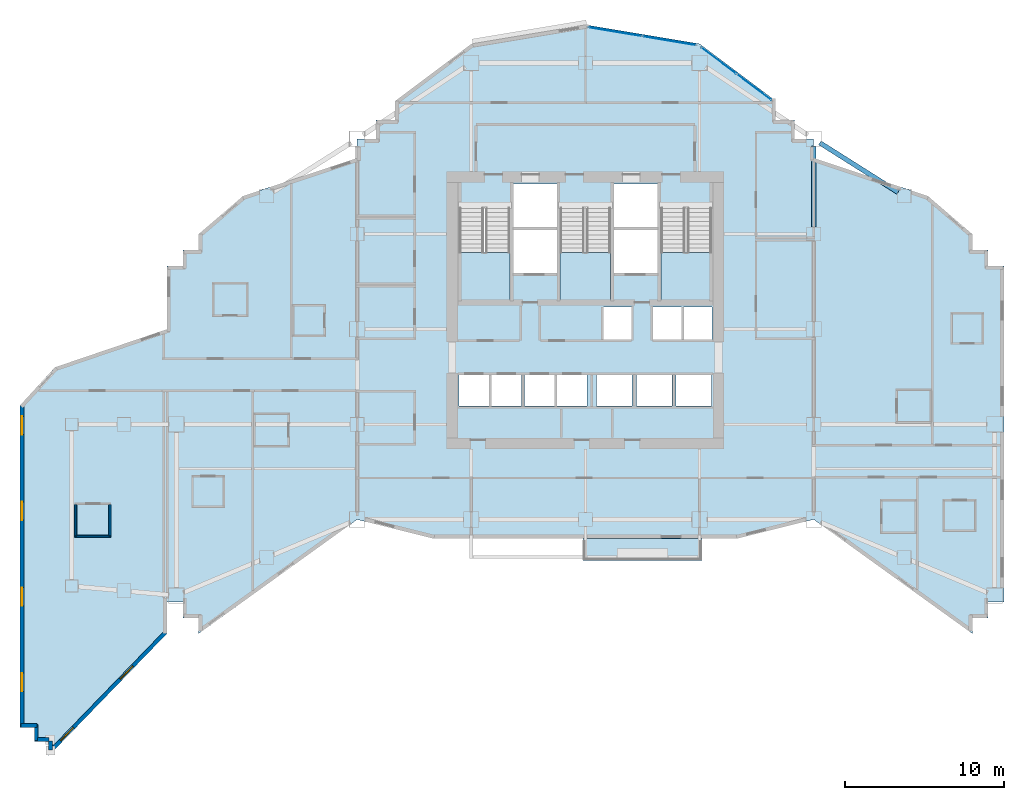
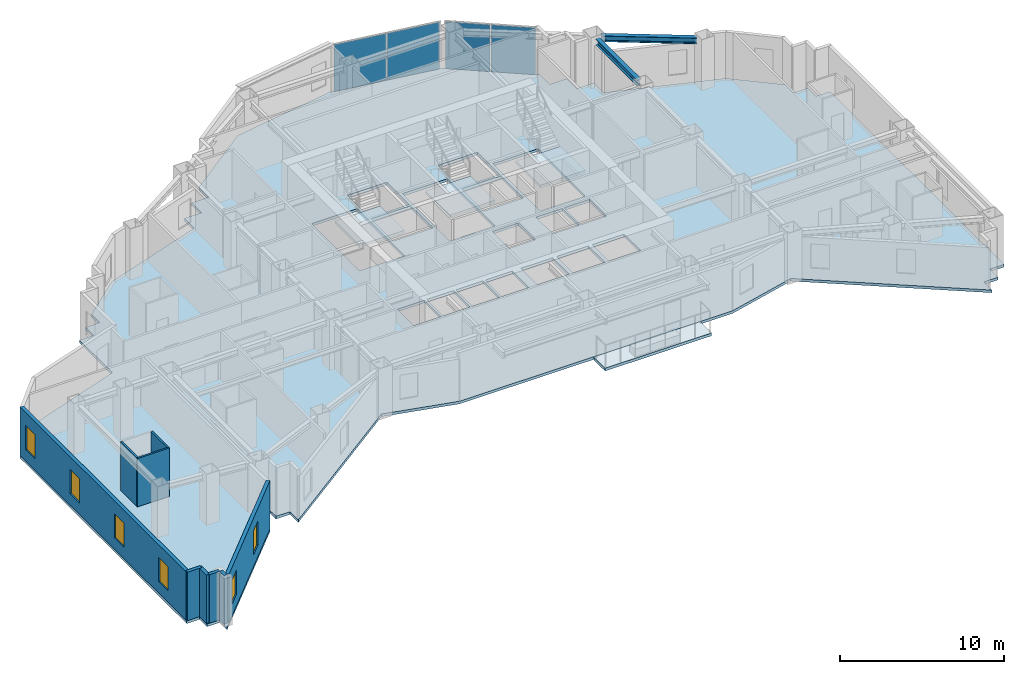
# One storey, part 4 of 13: 9 walls, 6 windows, 5 slabs, 4 plates, 2 beams, 6 openings, 5 elements without a shape of their own.
"""IFC4 building model written with IfcOpenShell, lengths in metres."""

from ifc_helpers import new_model, si_unit, direction, frame, frame_2d, origin, origin_2d, place, context, subcontext, project, spatial, polyline, rectangle, i_section, outline, extrude, material, layer, layer_set, material_profile, profile_set, type_object, element, fill, aggregate, save


model = new_model("IFC4")

# Units and contexts
model_context = context("Model", 3, precision=1e-05, world=origin(), true_north=direction((0.0, 1.0)))
body_context = subcontext(model_context, "Body", "Model", "MODEL_VIEW")
ifc_project = project(units=[si_unit("LENGTHUNIT", "METRE"), si_unit("AREAUNIT", "SQUARE_METRE"), si_unit("VOLUMEUNIT", "CUBIC_METRE"), si_unit("PLANEANGLEUNIT", "RADIAN"), si_unit("MASSUNIT", "GRAM", prefix="KILO")], contexts=[model_context])

# Site, building, storey
site_placement = place(None, origin())
site = spatial("IfcSite", under=ifc_project, at=site_placement, CompositionType="ELEMENT")
building_placement = place(site_placement, origin())
building = spatial("IfcBuilding", under=site, at=building_placement, Name="Haolan Belvedere Tower", CompositionType="ELEMENT")
storey_placement = place(building_placement, frame((0.0, 0.0, 106.0)))
storey = spatial("IfcBuildingStorey", under=building, at=storey_placement, Name="L26", CompositionType="ELEMENT", Elevation=106.0)

# Beams
ifc_material_1 = material(Name="Steel Q355B", Category="steel")
ifc_material_profile = material_profile(ifc_material_1, i_section(OverallWidth=0.300048828125, OverallDepth=0.43994140625, WebThickness=0.010986328125, FlangeThickness=0.01806640625, FilletRadius=0.02392578125, at=origin_2d()), Name="Steel Q355B")
ifc_profile_set = profile_set([ifc_material_profile], Name="Steel Q355B")
beam_type = type_object("IfcBeamType", Name="BM-HM440x300x11x18", PredefinedType="SPANDREL", material=ifc_profile_set)
beam_1_placement = place(storey_placement, frame((52.800048828125, 40.050048828125, 3.3798828125), z_axis=(0.0, 1.0, 0.0), x_axis=(-1.0, 0.0, 0.0)))
element("IfcBeam", 1, at=beam_1_placement, inside=storey, type_object=beam_type, Name="L26 spandrel girder TC-T3-E2-MC-T3-NE", PredefinedType="SPANDREL", context=body_context, shape_type="SweptSolid", body=[
    extrude(i_section(OverallWidth=0.300048828125, OverallDepth=0.43994140625, WebThickness=0.010986328125, FlangeThickness=0.01806640625, FilletRadius=0.02392578125, at=origin_2d()), origin(), (0.0, 0.0, 1.0), 5.099853515625),
])
beam_2_placement = place(storey_placement, frame((53.180419921875, 45.359619140625, 3.3798828125), z_axis=(0.845497840649, -0.533978839898, 0.0), x_axis=(0.533978839898, 0.845497840649, 0.0)))
element("IfcBeam", 2, at=beam_2_placement, inside=storey, type_object=beam_type, Name="L26 spandrel girder MC-T3-NE-TC-T4-N1", PredefinedType="SPANDREL", context=body_context, shape_type="SweptSolid", body=[
    extrude(i_section(OverallWidth=0.300048828125, OverallDepth=0.43994140625, WebThickness=0.010986328125, FlangeThickness=0.01806640625, FilletRadius=0.02392578125, at=origin_2d()), origin(), (0.0, 0.0, 1.0), 5.841796875),
])

# Curtain wall, plates
ifc_material_2 = material(Name="Anodised champagne-silver aluminium 6063-T6 and Low-E glass", Category="aluminium")
ifc_layer_1 = layer(ifc_material_2, 0.155029296875, Name="Anodised champagne-silver aluminium 6063-T6 and Low-E glass")
ifc_layer_set_1 = layer_set([ifc_layer_1], Name="Anodised champagne-silver aluminium 6063-T6 and Low-E glass")
curtain_wall_type = type_object("IfcCurtainWallType", Name="CW-SYS-03", PredefinedType="NOTDEFINED", material=ifc_layer_set_1)
curtain_wall_1_placement = place(storey_placement, origin())
curtain_wall_1 = element("IfcCurtainWall", 3, at=curtain_wall_1_placement, inside=storey, type_object=curtain_wall_type, Name="L26 CW-SYS-03 ribbon curtain wall 26.1", PredefinedType="NOTDEFINED")
ifc_material_3 = material(Name="Double silver Low-E laminated insulating glass", Category="glass")
ifc_layer_2 = layer(ifc_material_3, 0.02392578125, Name="Double silver Low-E laminated insulating glass")
ifc_layer_set_2 = layer_set([ifc_layer_2], Name="Double silver Low-E laminated insulating glass")
plate_type = type_object("IfcPlateType", Name="CW-SYS-03-PNL", PredefinedType="CURTAIN_PANEL", material=ifc_layer_set_2)
plate_1_placement = place(storey_placement, frame((49.0302734375, 48.877197265625, 0.05419921875), z_axis=(0.0, 0.0, 1.0), x_axis=(-0.800004262313, 0.599994316874, 0.0)))
plate_1 = element("IfcPlate", 4, at=plate_1_placement, type_object=plate_type, Name="CW-03 panel 1.1", PredefinedType="CURTAIN_PANEL", context=body_context, shape_type="SweptSolid", body=[
    extrude(rectangle(XDim=2.728271484375, YDim=0.02392578125, at=origin_2d()), origin(), (0.0, 0.0, 1.0), 3.491943359375),
])
plate_2_placement = place(storey_placement, frame((46.80126953125, 50.549072265625, 0.05419921875), z_axis=(0.0, 0.0, 1.0), x_axis=(-0.800004262313, 0.599994316874, 0.0)))
plate_2 = element("IfcPlate", 5, at=plate_2_placement, type_object=plate_type, Name="CW-03 panel 2.1", PredefinedType="CURTAIN_PANEL", context=body_context, shape_type="SweptSolid", body=[
    extrude(rectangle(XDim=2.728271484375, YDim=0.02392578125, at=origin_2d()), origin(), (0.0, 0.0, 1.0), 3.491943359375),
])
aggregate(curtain_wall_1, [plate_1, plate_2])

curtain_wall_2_placement = place(storey_placement, origin())
curtain_wall_2 = element("IfcCurtainWall", 6, at=curtain_wall_2_placement, inside=storey, type_object=curtain_wall_type, Name="L26 CW-SYS-03 ribbon curtain wall 27.1", PredefinedType="NOTDEFINED")
plate_3_placement = place(storey_placement, frame((43.68017578125, 51.79833984375, 0.05419921875), z_axis=(0.0, 0.0, 1.0), x_axis=(-0.9863931483, 0.16440364043, 0.0)))
plate_3 = element("IfcPlate", 7, at=plate_3_placement, type_object=plate_type, Name="CW-03 panel 1.1", PredefinedType="CURTAIN_PANEL", context=body_context, shape_type="SweptSolid", body=[
    extrude(rectangle(XDim=3.39794921875, YDim=0.02392578125, at=origin_2d()), origin(), (0.0, 0.0, 1.0), 3.491943359375),
])
plate_4_placement = place(storey_placement, frame((40.271240234375, 52.366455078125, 0.05419921875), z_axis=(0.0, 0.0, 1.0), x_axis=(-0.9863931483, 0.16440364043, 0.0)))
plate_4 = element("IfcPlate", 8, at=plate_4_placement, type_object=plate_type, Name="CW-03 panel 2.1", PredefinedType="CURTAIN_PANEL", context=body_context, shape_type="SweptSolid", body=[
    extrude(rectangle(XDim=3.39794921875, YDim=0.02392578125, at=origin_2d()), origin(), (0.0, 0.0, 1.0), 3.491943359375),
])
aggregate(curtain_wall_2, [plate_3, plate_4])

# Slabs
ifc_material_4 = material(Name="Concrete C40/50", Category="concrete")
ifc_layer_3 = layer(ifc_material_4, 0.2099609375, Name="Concrete C40/50")
ifc_layer_set_3 = layer_set([ifc_layer_3], Name="Concrete C40/50")
slab_type_1 = type_object("IfcSlabType", Name="SL-BAL-210", PredefinedType="FLOOR", material=ifc_layer_set_3)
slab_1_placement = place(storey_placement, frame((0.0, 0.0, -0.22998046875)))
element("IfcSlab", 9, at=slab_1_placement, inside=storey, type_object=slab_type_1, Name="L26 structural tree-planter balcony slab BAL-L26-S1", PredefinedType="FLOOR", context=body_context, shape_type="SweptSolid", body=[
    extrude(outline(polyline([(38.25, 19.02001953125), (45.75, 19.02001953125), (45.75, 20.39990234375), (38.25, 20.39990234375), (38.25, 19.02001953125)])), origin(), (0.0, 0.0, 1.0), 0.2099609375),
])
ifc_layer_4 = layer(ifc_material_4, 0.199951171875, Name="Concrete C40/50")
ifc_layer_set_4 = layer_set([ifc_layer_4], Name="Concrete C40/50")
slab_type_2 = type_object("IfcSlabType", Name="SL-FLR-200", PredefinedType="FLOOR", material=ifc_layer_set_4)
slab_2_placement = place(storey_placement, frame((0.0, 0.0, -0.199951171875)))
element("IfcSlab", 10, at=slab_2_placement, inside=storey, type_object=slab_type_2, Name="L26 structural floor slab", PredefinedType="FLOOR", context=body_context, shape_type="SweptSolid", body=[
    extrude(outline(polyline([(12.0, 14.39990234375), (12.0, 16.39990234375), (13.0, 16.39990234375), (13.0, 15.39990234375), (14.0, 15.39990234375), (14.0, 14.39990234375), (24.0, 21.60009765625), (28.800048828125, 20.39990234375), (48.0, 20.39990234375), (52.800048828125, 21.60009765625), (62.800048828125, 14.39990234375), (62.800048828125, 15.39990234375), (63.800048828125, 15.39990234375), (63.800048828125, 16.39990234375), (64.800048828125, 16.39990234375), (64.800048828125, 37.60009765625), (63.800048828125, 37.60009765625), (63.800048828125, 38.60009765625), (62.800048828125, 38.60009765625), (62.800048828125, 39.60009765625), (60.0, 42.0), (52.800048828125, 44.39990234375), (52.800048828125, 45.60009765625), (51.60009765625, 45.60009765625), (51.60009765625, 46.800048828125), (50.39990234375, 46.800048828125), (50.39990234375, 48.0), (45.60009765625, 51.60009765625), (38.39990234375, 52.800048828125), (31.199951171875, 51.60009765625), (26.39990234375, 48.0), (26.39990234375, 46.800048828125), (25.199951171875, 46.800048828125), (25.199951171875, 45.60009765625), (24.0, 45.60009765625), (24.0, 44.39990234375), (16.800048828125, 42.0), (14.0, 39.60009765625), (14.0, 38.60009765625), (13.0, 38.60009765625), (13.0, 37.60009765625), (12.0, 37.60009765625), (12.0, 33.60009765625), (4.93994140625, 31.199951171875), (2.739990234375, 28.800048828125), (2.739990234375, 9.093017578125), (2.739990234375, 8.492919921875), (3.639892578125, 8.492919921875), (3.639892578125, 7.593017578125), (4.5400390625, 7.593017578125), (4.5400390625, 6.693115234375), (12.0, 14.39990234375)]), holes=[polyline([(30.449951171875, 41.22998046875), (30.449951171875, 35.449951171875), (33.6298828125, 35.449951171875), (33.6298828125, 41.22998046875), (30.449951171875, 41.22998046875)]), polyline([(36.81005859375, 41.22998046875), (36.81005859375, 35.449951171875), (39.989990234375, 35.449951171875), (39.989990234375, 41.22998046875), (36.81005859375, 41.22998046875)]), polyline([(43.169921875, 41.22998046875), (43.169921875, 35.449951171875), (46.35009765625, 35.449951171875), (46.35009765625, 41.22998046875), (43.169921875, 41.22998046875)]), polyline([(33.830078125, 40.050048828125), (36.610107421875, 40.050048828125), (36.610107421875, 42.75), (33.830078125, 42.75), (33.830078125, 40.050048828125)]), polyline([(33.830078125, 37.14990234375), (36.610107421875, 37.14990234375), (36.610107421875, 39.85009765625), (33.830078125, 39.85009765625), (33.830078125, 37.14990234375)]), polyline([(40.18994140625, 40.050048828125), (42.969970703125, 40.050048828125), (42.969970703125, 42.75), (40.18994140625, 42.75), (40.18994140625, 40.050048828125)]), polyline([(40.18994140625, 37.14990234375), (42.969970703125, 37.14990234375), (42.969970703125, 39.85009765625), (40.18994140625, 39.85009765625), (40.18994140625, 37.14990234375)]), polyline([(39.5400390625, 32.949951171875), (41.389892578125, 32.949951171875), (41.389892578125, 35.0), (39.5400390625, 35.0), (39.5400390625, 32.949951171875)]), polyline([(42.6201171875, 32.949951171875), (44.469970703125, 32.949951171875), (44.469970703125, 35.0), (42.6201171875, 35.0), (42.6201171875, 32.949951171875)]), polyline([(44.580078125, 32.949951171875), (46.3798828125, 32.949951171875), (46.3798828125, 35.0), (44.580078125, 35.0), (44.580078125, 32.949951171875)]), polyline([(30.419921875, 28.75), (32.320068359375, 28.75), (32.320068359375, 30.75), (30.419921875, 30.75), (30.419921875, 28.75)]), polyline([(32.47998046875, 28.75), (34.3798828125, 28.75), (34.3798828125, 30.75), (32.47998046875, 30.75), (32.47998046875, 28.75)]), polyline([(34.5400390625, 28.75), (36.43994140625, 28.75), (36.43994140625, 30.75), (34.5400390625, 30.75), (34.5400390625, 28.75)]), polyline([(36.60009765625, 28.75), (38.5, 28.75), (38.5, 30.75), (36.60009765625, 30.75), (36.60009765625, 28.75)]), polyline([(39.10009765625, 28.75), (41.340087890625, 28.75), (41.340087890625, 30.75), (39.10009765625, 30.75), (39.10009765625, 28.75)]), polyline([(41.610107421875, 28.75), (43.85009765625, 28.75), (43.85009765625, 30.75), (41.610107421875, 30.75), (41.610107421875, 28.75)]), polyline([(44.1201171875, 28.75), (46.360107421875, 28.75), (46.360107421875, 30.75), (44.1201171875, 30.75), (44.1201171875, 28.75)])]), origin(), (0.0, 0.0, 1.0), 0.199951171875),
])

# Stair, slab
stair_type = type_object("IfcStairType", Name="STR-DL-22R-173", PredefinedType="HALF_TURN_STAIR", material=ifc_material_4)
stair_1_placement = place(storey_placement, origin())
stair_1 = element("IfcStair", 11, at=stair_1_placement, inside=storey, type_object=stair_type, Name="L26 Smokeproof Core Exit Stair ST1", PredefinedType="HALF_TURN_STAIR")
ifc_layer_5 = layer(ifc_material_4, 0.199951171875, Name="Concrete C40/50")
ifc_layer_set_5 = layer_set([ifc_layer_5], Name="Concrete C40/50")
slab_type_3 = type_object("IfcSlabType", Name="SL-LAND-200", PredefinedType="LANDING", material=ifc_layer_set_5)
slab_3_placement = place(storey_placement, frame((0.0, 0.0, 1.699951171875)))
slab_3 = element("IfcSlab", 12, at=slab_3_placement, type_object=slab_type_3, Name="ST1 landing 1", PredefinedType="LANDING", context=body_context, shape_type="SweptSolid", body=[
    extrude(outline(polyline([(30.449951171875, 38.429931640625), (30.449951171875, 35.449951171875), (33.6298828125, 35.449951171875), (33.6298828125, 38.429931640625), (30.449951171875, 38.429931640625)])), origin(), (0.0, 0.0, 1.0), 0.199951171875),
])
aggregate(stair_1, [slab_3])

stair_2_placement = place(storey_placement, origin())
stair_2 = element("IfcStair", 13, at=stair_2_placement, inside=storey, type_object=stair_type, Name="L26 Smokeproof Core Exit Stair ST3", PredefinedType="HALF_TURN_STAIR")
slab_4_placement = place(storey_placement, frame((0.0, 0.0, 1.699951171875)))
slab_4 = element("IfcSlab", 14, at=slab_4_placement, type_object=slab_type_3, Name="ST3 landing 1", PredefinedType="LANDING", context=body_context, shape_type="SweptSolid", body=[
    extrude(outline(polyline([(36.81005859375, 38.429931640625), (36.81005859375, 35.449951171875), (39.989990234375, 35.449951171875), (39.989990234375, 38.429931640625), (36.81005859375, 38.429931640625)])), origin(), (0.0, 0.0, 1.0), 0.199951171875),
])
aggregate(stair_2, [slab_4])

stair_3_placement = place(storey_placement, origin())
stair_3 = element("IfcStair", 15, at=stair_3_placement, inside=storey, type_object=stair_type, Name="L26 Smokeproof Core Exit Stair ST2", PredefinedType="HALF_TURN_STAIR")
slab_5_placement = place(storey_placement, frame((0.0, 0.0, 1.699951171875)))
slab_5 = element("IfcSlab", 16, at=slab_5_placement, type_object=slab_type_3, Name="ST2 landing 1", PredefinedType="LANDING", context=body_context, shape_type="SweptSolid", body=[
    extrude(outline(polyline([(43.169921875, 38.429931640625), (43.169921875, 35.449951171875), (46.35009765625, 35.449951171875), (46.35009765625, 38.429931640625), (43.169921875, 38.429931640625)])), origin(), (0.0, 0.0, 1.0), 0.199951171875),
])
aggregate(stair_3, [slab_5])

# Wall, openings, windows
ifc_material_5 = material(Name="Precast concrete C40/50", Category="concrete")
ifc_layer_6 = layer(ifc_material_5, 0.239990234375, Name="Precast concrete C40/50")
ifc_layer_set_6 = layer_set([ifc_layer_6], Name="Precast concrete C40/50")
wall_type_1 = type_object("IfcWallType", Name="WL-EXT-240", PredefinedType="SOLIDWALL", material=ifc_layer_set_6)
wall_1_placement = place(storey_placement, frame((2.860107421875, 28.808349609375, 0.0), z_axis=(0.0, 0.0, 1.0), x_axis=(0.0, -1.0, 0.0)))
wall_1 = element("IfcWall", 17, at=wall_1_placement, inside=storey, type_object=wall_type_1, Name="L26 pale-metal exterior spandrel wall 44.1", PredefinedType="SOLIDWALL", context=body_context, shape_type="SweptSolid", body=[
    extrude(rectangle(XDim=20.250244140625, YDim=0.239990234375, at=frame_2d((10.125, 0.0))), origin(), (0.0, 0.0, 1.0), 3.60009765625),
])
opening_1_placement = place(wall_1_placement, frame((0.699951171875, 0.0, 0.85009765625)))
opening_1 = element("IfcOpeningElement", 18, at=opening_1_placement, cuts=wall_1, Name="Opening W-02", PredefinedType="OPENING", context=body_context, shape_type="SweptSolid", body=[
    extrude(rectangle(XDim=1.14990234375, YDim=1.800048828125, at=frame_2d((0.574951171875, 0.89990234375))), frame((0.0, 0.1298828125, 0.0), z_axis=(0.0, -1.0, 0.0), x_axis=(1.0, 0.0, 0.0)), (0.0, 0.0, 1.0), 0.260009765625),
])
opening_2_placement = place(wall_1_placement, frame((6.10009765625, 0.0, 0.85009765625)))
opening_2 = element("IfcOpeningElement", 19, at=opening_2_placement, cuts=wall_1, Name="Opening W-02", PredefinedType="OPENING", context=body_context, shape_type="SweptSolid", body=[
    extrude(rectangle(XDim=1.14990234375, YDim=1.800048828125, at=frame_2d((0.574951171875, 0.89990234375))), frame((0.0, 0.1298828125, 0.0), z_axis=(0.0, -1.0, 0.0), x_axis=(1.0, 0.0, 0.0)), (0.0, 0.0, 1.0), 0.260009765625),
])
opening_3_placement = place(wall_1_placement, frame((11.5, 0.0, 0.85009765625)))
opening_3 = element("IfcOpeningElement", 20, at=opening_3_placement, cuts=wall_1, Name="Opening W-02", PredefinedType="OPENING", context=body_context, shape_type="SweptSolid", body=[
    extrude(rectangle(XDim=1.14990234375, YDim=1.800048828125, at=frame_2d((0.574951171875, 0.89990234375))), frame((0.0, 0.1298828125, 0.0), z_axis=(0.0, -1.0, 0.0), x_axis=(1.0, 0.0, 0.0)), (0.0, 0.0, 1.0), 0.260009765625),
])
opening_4_placement = place(wall_1_placement, frame((16.89990234375, 0.0, 0.85009765625)))
opening_4 = element("IfcOpeningElement", 21, at=opening_4_placement, cuts=wall_1, Name="Opening W-02", PredefinedType="OPENING", context=body_context, shape_type="SweptSolid", body=[
    extrude(rectangle(XDim=1.14990234375, YDim=1.800048828125, at=frame_2d((0.574951171875, 0.89990234375))), frame((0.0, 0.1298828125, 0.0), z_axis=(0.0, -1.0, 0.0), x_axis=(1.0, 0.0, 0.0)), (0.0, 0.0, 1.0), 0.260009765625),
])
ifc_material_6 = material(Name="Anodised aluminium 6063-T6 and Low-E glass", Category="aluminium")
window_type = type_object("IfcWindowType", Name="WN-DECO-Z2", PartitioningType="SINGLE_PANEL", PredefinedType="WINDOW", material=ifc_material_6)
window_1_placement = place(opening_1_placement, origin())
window_1 = element("IfcWindow", 22, at=window_1_placement, inside=storey, type_object=window_type, Name="L26 Art Deco chevron window 1", OverallHeight=1.800048828125, OverallWidth=1.14990234375, PartitioningType="SINGLE_PANEL", PredefinedType="WINDOW", context=body_context, shape_type="SweptSolid", body=[
    extrude(rectangle(XDim=1.14990234375, YDim=1.800048828125, at=frame_2d((0.574951171875, 0.89990234375))), frame((0.0, 0.030029296875, 0.0), z_axis=(0.0, -1.0, 0.0), x_axis=(1.0, 0.0, 0.0)), (0.0, 0.0, 1.0), 0.06005859375),
])
fill(opening_1, window_1)
window_2_placement = place(opening_2_placement, origin())
window_2 = element("IfcWindow", 23, at=window_2_placement, inside=storey, type_object=window_type, Name="L26 Art Deco chevron window 2", OverallHeight=1.800048828125, OverallWidth=1.14990234375, PartitioningType="SINGLE_PANEL", PredefinedType="WINDOW", context=body_context, shape_type="SweptSolid", body=[
    extrude(rectangle(XDim=1.14990234375, YDim=1.800048828125, at=frame_2d((0.574951171875, 0.89990234375))), frame((0.0, 0.030029296875, 0.0), z_axis=(0.0, -1.0, 0.0), x_axis=(1.0, 0.0, 0.0)), (0.0, 0.0, 1.0), 0.06005859375),
])
fill(opening_2, window_2)
window_3_placement = place(opening_3_placement, origin())
window_3 = element("IfcWindow", 24, at=window_3_placement, inside=storey, type_object=window_type, Name="L26 Art Deco chevron window 3", OverallHeight=1.800048828125, OverallWidth=1.14990234375, PartitioningType="SINGLE_PANEL", PredefinedType="WINDOW", context=body_context, shape_type="SweptSolid", body=[
    extrude(rectangle(XDim=1.14990234375, YDim=1.800048828125, at=frame_2d((0.574951171875, 0.89990234375))), frame((0.0, 0.030029296875, 0.0), z_axis=(0.0, -1.0, 0.0), x_axis=(1.0, 0.0, 0.0)), (0.0, 0.0, 1.0), 0.06005859375),
])
fill(opening_3, window_3)
window_4_placement = place(opening_4_placement, origin())
window_4 = element("IfcWindow", 25, at=window_4_placement, inside=storey, type_object=window_type, Name="L26 Art Deco chevron window 4", OverallHeight=1.800048828125, OverallWidth=1.14990234375, PartitioningType="SINGLE_PANEL", PredefinedType="WINDOW", context=body_context, shape_type="SweptSolid", body=[
    extrude(rectangle(XDim=1.14990234375, YDim=1.800048828125, at=frame_2d((0.574951171875, 0.89990234375))), frame((0.0, 0.030029296875, 0.0), z_axis=(0.0, -1.0, 0.0), x_axis=(1.0, 0.0, 0.0)), (0.0, 0.0, 1.0), 0.06005859375),
])
fill(opening_4, window_4)

# Walls
for number, where, z_axis, x_axis, name in (
    (26, (2.804931640625, 8.613037109375, 0.0), (0.0, 0.0, 1.0), (1.0, 0.0, 0.0), "L26 pale-metal exterior spandrel wall 45.1"),
    (27, (3.760009765625, 8.66796875, 0.0), (0.0, 0.0, 1.0), (0.0, -1.0, 0.0), "L26 pale-metal exterior spandrel wall 46.1"),
):
    element("IfcWall", number, at=place(storey_placement, frame(where, z_axis=z_axis, x_axis=x_axis)), inside=storey, type_object=wall_type_1, Name=name, PredefinedType="SOLIDWALL", context=body_context, shape_type="SweptSolid", body=[
        extrude(rectangle(XDim=1.010009765625, YDim=0.239990234375, at=frame_2d((0.5048828125, 0.0))), origin(), (0.0, 0.0, 1.0), 3.60009765625),
    ])
wall_2_placement = place(storey_placement, frame((3.824951171875, 7.712890625, 0.0), z_axis=(0.0, 0.0, 1.0), x_axis=(1.0, 0.0, 0.0)))
element("IfcWall", 28, at=wall_2_placement, inside=storey, type_object=wall_type_1, Name="L26 pale-metal exterior spandrel wall 47.1", PredefinedType="SOLIDWALL", context=body_context, shape_type="SweptSolid", body=[
    extrude(rectangle(XDim=0.75, YDim=0.239990234375, at=frame_2d((0.375, 0.0))), origin(), (0.0, 0.0, 1.0), 3.60009765625),
])
wall_3_placement = place(storey_placement, frame((4.659912109375, 7.6279296875, 0.0), z_axis=(0.0, 0.0, 1.0), x_axis=(0.0, -1.0, 0.0)))
element("IfcWall", 29, at=wall_3_placement, inside=storey, type_object=wall_type_1, Name="L26 pale-metal exterior spandrel wall 48.1", PredefinedType="SOLIDWALL", context=body_context, shape_type="SweptSolid", body=[
    extrude(rectangle(XDim=0.553466796875, YDim=0.239990234375, at=frame_2d((0.27685546875, 0.0))), origin(), (0.0, 0.0, 1.0), 3.60009765625),
])

# Wall, openings, windows
wall_4_placement = place(storey_placement, frame((4.81298828125, 7.147705078125, 0.0), z_axis=(0.0, 0.0, 1.0), x_axis=(0.695506215319, 0.718520079366, 0.0)))
wall_4 = element("IfcWall", 30, at=wall_4_placement, inside=storey, type_object=wall_type_1, Name="L26 pale-metal exterior spandrel wall 49.1", PredefinedType="SOLIDWALL", context=body_context, shape_type="SweptSolid", body=[
    extrude(rectangle(XDim=10.2158203125, YDim=0.239990234375, at=frame_2d((5.10791015625, 0.0))), origin(), (0.0, 0.0, 1.0), 3.60009765625),
])
opening_5_placement = place(wall_4_placement, frame((0.699951171875, 0.0, 0.85009765625)))
opening_5 = element("IfcOpeningElement", 31, at=opening_5_placement, cuts=wall_4, Name="Opening W-02", PredefinedType="OPENING", context=body_context, shape_type="SweptSolid", body=[
    extrude(rectangle(XDim=1.14990234375, YDim=1.800048828125, at=frame_2d((0.574951171875, 0.89990234375))), frame((0.0, 0.1298828125, 0.0), z_axis=(0.0, -1.0, 0.0), x_axis=(1.0, 0.0, 0.0)), (0.0, 0.0, 1.0), 0.260009765625),
])
opening_6_placement = place(wall_4_placement, frame((6.10009765625, 0.0, 0.85009765625)))
opening_6 = element("IfcOpeningElement", 32, at=opening_6_placement, cuts=wall_4, Name="Opening W-02", PredefinedType="OPENING", context=body_context, shape_type="SweptSolid", body=[
    extrude(rectangle(XDim=1.14990234375, YDim=1.800048828125, at=frame_2d((0.574951171875, 0.89990234375))), frame((0.0, 0.1298828125, 0.0), z_axis=(0.0, -1.0, 0.0), x_axis=(1.0, 0.0, 0.0)), (0.0, 0.0, 1.0), 0.260009765625),
])
window_5_placement = place(opening_5_placement, origin())
window_5 = element("IfcWindow", 33, at=window_5_placement, inside=storey, type_object=window_type, Name="L26 Art Deco chevron window 1", OverallHeight=1.800048828125, OverallWidth=1.14990234375, PartitioningType="SINGLE_PANEL", PredefinedType="WINDOW", context=body_context, shape_type="SweptSolid", body=[
    extrude(rectangle(XDim=1.14990234375, YDim=1.800048828125, at=frame_2d((0.574951171875, 0.89990234375))), frame((0.0, 0.030029296875, 0.0), z_axis=(0.0, -1.0, 0.0), x_axis=(1.0, 0.0, 0.0)), (0.0, 0.0, 1.0), 0.06005859375),
])
fill(opening_5, window_5)
window_6_placement = place(opening_6_placement, origin())
window_6 = element("IfcWindow", 34, at=window_6_placement, inside=storey, type_object=window_type, Name="L26 Art Deco chevron window 2", OverallHeight=1.800048828125, OverallWidth=1.14990234375, PartitioningType="SINGLE_PANEL", PredefinedType="WINDOW", context=body_context, shape_type="SweptSolid", body=[
    extrude(rectangle(XDim=1.14990234375, YDim=1.800048828125, at=frame_2d((0.574951171875, 0.89990234375))), frame((0.0, 0.030029296875, 0.0), z_axis=(0.0, -1.0, 0.0), x_axis=(1.0, 0.0, 0.0)), (0.0, 0.0, 1.0), 0.06005859375),
])
fill(opening_6, window_6)

# Walls
ifc_material_7 = material(Name="Moisture-resistant gypsum tile partition", Category="masonry")
ifc_layer_7 = layer(ifc_material_7, 0.1201171875, Name="Moisture-resistant gypsum tile partition")
ifc_layer_set_7 = layer_set([ifc_layer_7], Name="Moisture-resistant gypsum tile partition")
wall_type_2 = type_object("IfcWallType", Name="WL-WET-120", PredefinedType="PARTITIONING", material=ifc_layer_set_7)
wall_5_placement = place(storey_placement, frame((6.193115234375, 20.5400390625, 0.0), z_axis=(0.0, 0.0, 1.0), x_axis=(1.0, 0.0, 0.0)))
element("IfcWall", 35, at=wall_5_placement, inside=storey, type_object=wall_type_2, Name="L26 interior partition IW-L26-T1S1-BS", PredefinedType="PARTITIONING", context=body_context, shape_type="SweptSolid", body=[
    extrude(rectangle(XDim=2.269775390625, YDim=0.1201171875, at=frame_2d((1.134765625, 0.0))), origin(), (0.0, 0.0, 1.0), 3.60009765625),
])
for number, where, z_axis, x_axis, name in (
    (36, (6.2529296875, 20.5849609375, 0.0), (0.0, 0.0, 1.0), (0.0, 1.0, 0.0), "L26 interior partition IW-L26-T1S1-BW"),
    (37, (8.403076171875, 20.5849609375, 0.0), (0.0, 0.0, 1.0), (0.0, 1.0, 0.0), "L26 interior partition IW-L26-T1S1-BE"),
):
    element("IfcWall", number, at=place(storey_placement, frame(where, z_axis=z_axis, x_axis=x_axis)), inside=storey, type_object=wall_type_2, Name=name, PredefinedType="PARTITIONING", context=body_context, shape_type="SweptSolid", body=[
        extrude(rectangle(XDim=1.9599609375, YDim=0.1201171875, at=frame_2d((0.97998046875, 0.0))), origin(), (0.0, 0.0, 1.0), 3.60009765625),
    ])

save(model, "model.ifc")
